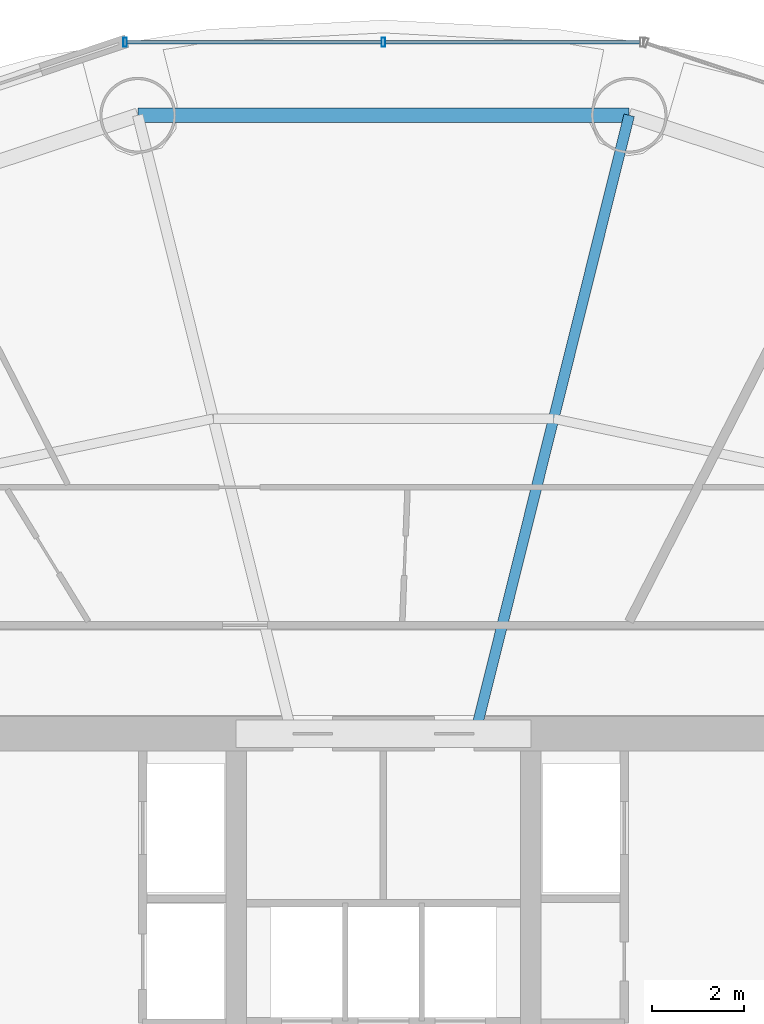
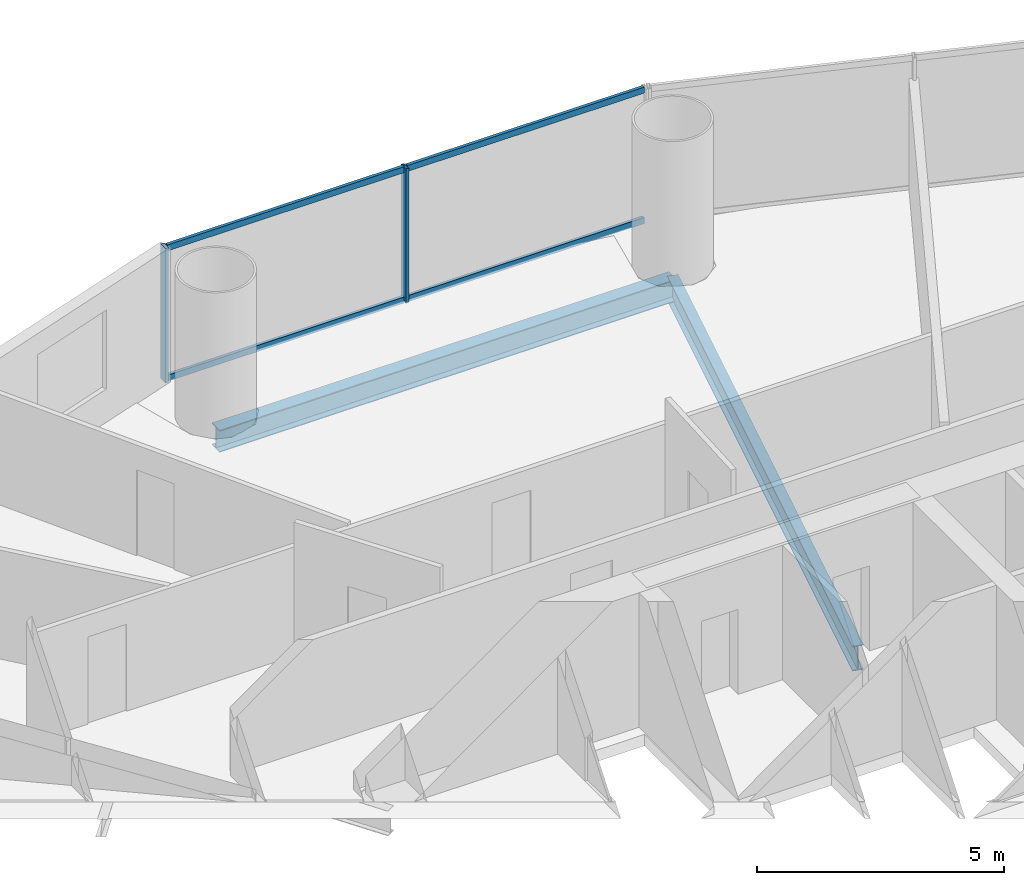
# One storey, part 18 of 29: 6 members, 2 beams, 1 element without a shape of its own.
"""IFC4 building model written with IfcOpenShell, lengths in metres."""

from ifc_helpers import new_model, si_unit, direction, frame, origin, origin_2d, place, context, subcontext, project, spatial, hollow_rectangle, i_section, extrude, source, transform, mapped, material, material_profile, profile_set, type_object, element, aggregate, save


model = new_model("IFC4")

# Units and contexts
model_context = context("Model", 3, precision=1e-05, world=origin(), true_north=direction((-0.2419218956, 0.970295726276)))
body_context = subcontext(model_context, "Body", "Model", "MODEL_VIEW")
ifc_project = project(units=[si_unit("LENGTHUNIT", "METRE"), si_unit("AREAUNIT", "SQUARE_METRE"), si_unit("VOLUMEUNIT", "CUBIC_METRE"), si_unit("PLANEANGLEUNIT", "RADIAN"), si_unit("MASSUNIT", "GRAM", prefix="KILO")], contexts=[model_context])

# Site, building, storey
site_placement = place(None, origin())
site = spatial("IfcSite", under=ifc_project, at=site_placement, CompositionType="ELEMENT")
building_placement = place(site_placement, origin())
building = spatial("IfcBuilding", under=site, at=building_placement, Name="Cobrevalo Terracotta Tower", CompositionType="ELEMENT")
storey_placement = place(building_placement, frame((0.0, 0.0, 67.199951171875)))
storey = spatial("IfcBuildingStorey", under=building, at=storey_placement, Name="L17", CompositionType="ELEMENT", Elevation=67.199951171875)

# Beams
ifc_material_1 = material(Name="Steel S355", Category="steel")
ifc_material_profile_1 = material_profile(ifc_material_1, i_section(OverallWidth=0.22998046875, OverallDepth=0.616943359375, WebThickness=0.01318359375, FlangeThickness=0.022216796875, at=origin_2d()), Name="W 610x140")
ifc_profile_set_1 = profile_set([ifc_material_profile_1], Name="Steel S355")
beam_type_1 = type_object("IfcBeamType", Name="Structural Beam W 610x140 (Steel S355)", PredefinedType="BEAM", material=ifc_profile_set_1)
beam_1_placement = place(storey_placement, frame((43.335693359375, 48.230224609375, -0.58837890625), z_axis=(-0.241596254786, -0.970376859614, 0.0), x_axis=(0.970376859614, -0.241596254786, 0.0)))
element("IfcBeam", 1, at=beam_1_placement, inside=storey, type_object=beam_type_1, Name="L17 radial floor girder 04", PredefinedType="BEAM", context=body_context, shape_type="SweptSolid", body=[
    extrude(i_section(OverallWidth=0.22998046875, OverallDepth=0.616943359375, WebThickness=0.01318359375, FlangeThickness=0.022216796875, at=origin_2d()), origin(), (0.0, 0.0, 1.0), 13.577392578125),
])
ifc_material_profile_2 = material_profile(ifc_material_1, i_section(OverallWidth=0.31201171875, OverallDepth=0.54296875, WebThickness=0.0126953125, FlangeThickness=0.020263671875, at=origin_2d()), Name="W 530x150")
ifc_profile_set_2 = profile_set([ifc_material_profile_2], Name="Steel S355")
beam_type_2 = type_object("IfcBeamType", Name="Structural Spandrel W 530x150 (Steel S355)", PredefinedType="SPANDREL", material=ifc_profile_set_2)
beam_2_placement = place(storey_placement, frame((43.335693359375, 48.230224609375, -0.551513671875), z_axis=(-1.0, 0.0, 0.0), x_axis=(0.0, -1.0, 0.0)))
element("IfcBeam", 2, at=beam_2_placement, inside=storey, type_object=beam_type_2, Name="L17 perimeter ring spandrel 04", PredefinedType="SPANDREL", context=body_context, shape_type="SweptSolid", body=[
    extrude(i_section(OverallWidth=0.31201171875, OverallDepth=0.54296875, WebThickness=0.0126953125, FlangeThickness=0.020263671875, at=origin_2d()), origin(), (0.0, 0.0, 1.0), 10.67138671875),
])

# Curtain wall, members
ifc_material_2 = material(Name="Anodized aluminium", Category="aluminium")
curtain_wall_type = type_object("IfcCurtainWallType", Name="Lower-tower unitised acoustic low-E curtain wall CW-U1", PredefinedType="NOTDEFINED", material=ifc_material_2)
curtain_wall_placement = place(storey_placement, origin())
curtain_wall = element("IfcCurtainWall", 3, at=curtain_wall_placement, inside=storey, type_object=curtain_wall_type, Name="L17 curtain wall CW-L17-S04", PredefinedType="NOTDEFINED")
ifc_material_profile_3 = material_profile(ifc_material_2, hollow_rectangle(XDim=0.074951171875, YDim=0.199951171875, WallThickness=0.0048828125, at=origin_2d()), Name="CWM 75x200")
ifc_profile_set_3 = profile_set([ifc_material_profile_3], Name="Anodized aluminium")
member_type_1 = type_object("IfcMemberType", Name="Lower/mid tower unitised mullion 75x200", PredefinedType="MULLION", material=ifc_profile_set_3)
shared_shape_1 = source(origin(), body_context, "Body", "SweptSolid", [
    extrude(hollow_rectangle(XDim=0.074951171875, YDim=0.199951171875, WallThickness=0.0048828125, at=origin_2d()), origin(), (0.0, 0.0, 1.0), 3.320068359375),
])
member_1_placement = place(storey_placement, frame((38.0, 49.819091796875, 0.0), z_axis=(0.0, 0.0, 1.0), x_axis=(-1.0, 0.0, 0.0)))
member_1 = element("IfcMember", 4, at=member_1_placement, type_object=member_type_1, Name="CW-L17-S04 vertical mullion 02", PredefinedType="MULLION", context=body_context, shape_type="MappedRepresentation", body=[
    mapped(shared_shape_1, transform((0.0, 0.0, 0.0), scale=1.0)),
])
member_2_placement = place(storey_placement, frame((32.38818359375, 49.819091796875, 0.0), z_axis=(0.0, 0.0, 1.0), x_axis=(-1.0, 0.0, 0.0)))
member_2 = element("IfcMember", 5, at=member_2_placement, type_object=member_type_1, Name="CW-L17-S04 vertical mullion 03", PredefinedType="MULLION", context=body_context, shape_type="MappedRepresentation", body=[
    mapped(shared_shape_1, transform((0.0, 0.0, 0.0), scale=1.0)),
])
ifc_material_profile_4 = material_profile(ifc_material_2, hollow_rectangle(XDim=0.074951171875, YDim=0.14990234375, WallThickness=0.00439453125, at=origin_2d()), Name="CWT 75x150")
ifc_profile_set_4 = profile_set([ifc_material_profile_4], Name="Anodized aluminium")
member_type_2 = type_object("IfcMemberType", Name="Tower unitised aluminium transom 75x150", PredefinedType="USERDEFINED", material=ifc_profile_set_4)
shared_shape_2 = source(origin(), body_context, "Body", "SweptSolid", [
    extrude(hollow_rectangle(XDim=0.074951171875, YDim=0.14990234375, WallThickness=0.00439453125, at=origin_2d()), origin(), (0.0, 0.0, 1.0), 5.53173828125),
])
member_3_placement = place(storey_placement, frame((43.57177734375, 49.819091796875, 0.050048828125), z_axis=(-1.0, 0.0, 0.0), x_axis=(0.0, -1.0, 0.0)))
member_3 = element("IfcMember", 6, at=member_3_placement, type_object=member_type_2, Name="CW-L17-S04 transom B01-T1", ObjectType="TRANSOM", PredefinedType="USERDEFINED", context=body_context, shape_type="MappedRepresentation", body=[
    mapped(shared_shape_2, transform((0.0, 0.0, 0.0), scale=1.0)),
])
member_4_placement = place(storey_placement, frame((43.57177734375, 49.819091796875, 3.27001953125), z_axis=(-1.0, 0.0, 0.0), x_axis=(0.0, -1.0, 0.0)))
member_4 = element("IfcMember", 7, at=member_4_placement, type_object=member_type_2, Name="CW-L17-S04 transom B01-T2", ObjectType="TRANSOM", PredefinedType="USERDEFINED", context=body_context, shape_type="MappedRepresentation", body=[
    mapped(shared_shape_2, transform((0.0, 0.0, 0.0), scale=1.0)),
])
member_5_placement = place(storey_placement, frame((37.9599609375, 49.819091796875, 0.050048828125), z_axis=(-1.0, 0.0, 0.0), x_axis=(0.0, -1.0, 0.0)))
member_5 = element("IfcMember", 8, at=member_5_placement, type_object=member_type_2, Name="CW-L17-S04 transom B02-T1", ObjectType="TRANSOM", PredefinedType="USERDEFINED", context=body_context, shape_type="MappedRepresentation", body=[
    mapped(shared_shape_2, transform((0.0, 0.0, 0.0), scale=1.0)),
])
member_6_placement = place(storey_placement, frame((37.9599609375, 49.819091796875, 3.27001953125), z_axis=(-1.0, 0.0, 0.0), x_axis=(0.0, -1.0, 0.0)))
member_6 = element("IfcMember", 9, at=member_6_placement, type_object=member_type_2, Name="CW-L17-S04 transom B02-T2", ObjectType="TRANSOM", PredefinedType="USERDEFINED", context=body_context, shape_type="MappedRepresentation", body=[
    mapped(shared_shape_2, transform((0.0, 0.0, 0.0), scale=1.0)),
])
aggregate(curtain_wall, [member_1, member_2, member_3, member_4, member_5, member_6])

save(model, "model.ifc")
